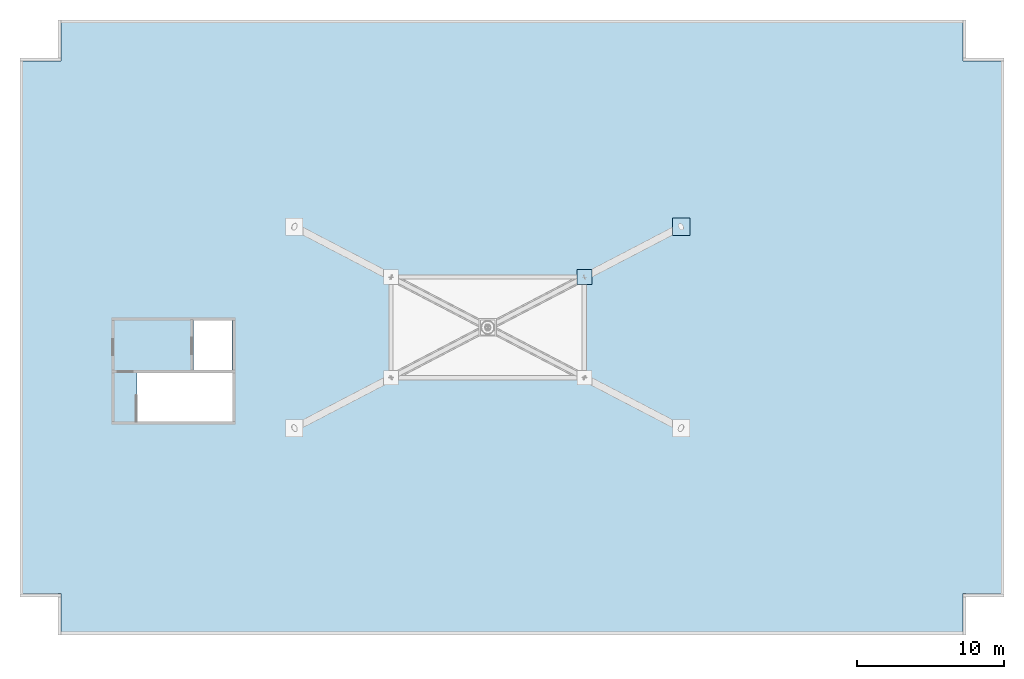
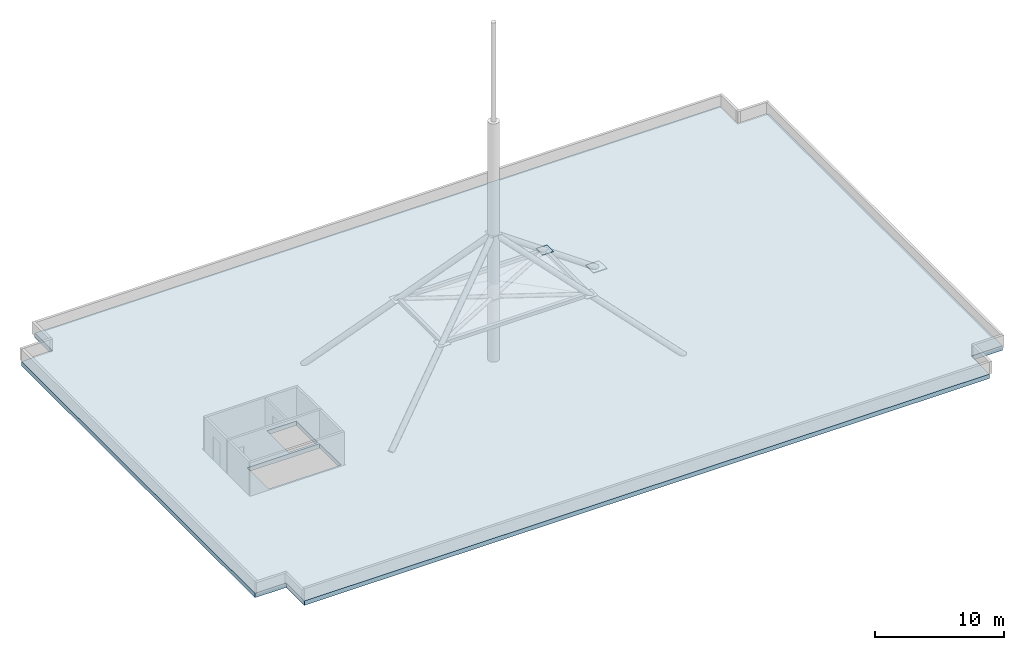
# One storey, part 2 of 8: 2 plates, 1 slab.
"""IFC4 building model written with IfcOpenShell, lengths in metres."""

from ifc_helpers import new_model, si_unit, direction, frame, origin, origin_2d, place, context, subcontext, project, spatial, polyline, rectangle, outline, extrude, material, layer, layer_set, type_object, element, save


model = new_model("IFC4")

# Units and contexts
model_context = context("Model", 3, precision=1e-05, world=origin(), true_north=direction((0.0, 1.0)))
body_context = subcontext(model_context, "Body", "Model", "MODEL_VIEW")
ifc_project = project(units=[si_unit("LENGTHUNIT", "METRE"), si_unit("AREAUNIT", "SQUARE_METRE"), si_unit("VOLUMEUNIT", "CUBIC_METRE"), si_unit("PLANEANGLEUNIT", "RADIAN"), si_unit("MASSUNIT", "GRAM", prefix="KILO")], contexts=[model_context])

# Site, building, storey
site_placement = place(None, origin())
site = spatial("IfcSite", under=ifc_project, at=site_placement, CompositionType="ELEMENT")
building_placement = place(site_placement, origin())
building = spatial("IfcBuilding", under=site, at=building_placement, Name="Putna Gate Headquarters", CompositionType="ELEMENT")
storey_placement = place(building_placement, frame((0.0, 0.0, 320.39990234375)))
storey = spatial("IfcBuildingStorey", under=building, at=storey_placement, Name="RF", CompositionType="ELEMENT", Elevation=320.39990234375)

# Plates
ifc_material_1 = material(Name="Steel S460M", Category="steel")
ifc_layer_1 = layer(ifc_material_1, 0.0400390625)
ifc_layer_set_1 = layer_set([ifc_layer_1], Name="Steel S460M")
plate_type_1 = type_object("IfcPlateType", Name="PLT-SPIRE-BASE-SN1", PredefinedType="SHEET", material=ifc_layer_set_1)
plate_1_placement = place(storey_placement, frame((52.14990234375, 32.85009765625, 0.0), z_axis=(0.0, 0.0, 1.0), x_axis=(1.0, 0.0, 0.0)))
element("IfcPlate", 1, at=plate_1_placement, inside=storey, type_object=plate_type_1, Name="Needle Spire Leg NE Base Anchorage Plate SN1", PredefinedType="SHEET", context=body_context, shape_type="SweptSolid", body=[
    extrude(rectangle(XDim=1.199951171875, YDim=1.199951171875, at=origin_2d()), origin(), (0.0, 0.0, 1.0), 0.0400390625),
])
ifc_layer_2 = layer(ifc_material_1, 0.0380859375)
ifc_layer_set_2 = layer_set([ifc_layer_2], Name="Steel S460M")
plate_type_2 = type_object("IfcPlateType", Name="PLT-SPIRE-COLLAR-SN2", PredefinedType="SHEET", material=ifc_layer_set_2)
plate_2_placement = place(storey_placement, frame((45.574951171875, 29.425048828125, 5.968505859375), z_axis=(0.0, 0.0, 1.0), x_axis=(1.0, 0.0, 0.0)))
element("IfcPlate", 2, at=plate_2_placement, inside=storey, type_object=plate_type_2, Name="Needle Spire Mid Ring Corner Node Plate SN2 3", PredefinedType="SHEET", context=body_context, shape_type="SweptSolid", body=[
    extrude(rectangle(XDim=1.0, YDim=1.0, at=origin_2d()), origin(), (0.0, 0.0, 1.0), 0.0380859375),
])

# Slab
ifc_material_2 = material(Name="Concrete C40/50", Category="concrete")
ifc_layer_3 = layer(ifc_material_2, 0.419921875)
ifc_layer_set_3 = layer_set([ifc_layer_3], Name="Concrete C40/50")
slab_type = type_object("IfcSlabType", Name="SLAB-CROWN-ROOF-420", PredefinedType="ROOF", material=ifc_layer_set_3)
slab_placement = place(storey_placement, frame((0.0, 0.0, -0.419921875)))
element("IfcSlab", 3, at=slab_placement, inside=storey, type_object=slab_type, Name="RF Crown Roof Slab", PredefinedType="ROOF", context=body_context, shape_type="SweptSolid", body=[
    extrude(outline(polyline([(10.0, 5.10009765625), (71.300048828125, 5.10009765625), (71.300048828125, 7.89990234375), (74.10009765625, 7.89990234375), (74.10009765625, 44.10009765625), (71.300048828125, 44.10009765625), (71.300048828125, 46.89990234375), (10.0, 46.89990234375), (10.0, 44.10009765625), (7.199951171875, 44.10009765625), (7.199951171875, 7.89990234375), (10.0, 7.89990234375), (10.0, 5.10009765625)]), holes=[polyline([(15.1650390625, 19.60009765625), (21.64990234375, 19.60009765625), (21.64990234375, 22.89990234375), (15.1650390625, 22.89990234375), (15.1650390625, 19.60009765625)]), polyline([(18.97998046875, 23.1201171875), (21.6201171875, 23.1201171875), (21.6201171875, 26.4599609375), (18.97998046875, 26.4599609375), (18.97998046875, 23.1201171875)])]), origin(), (0.0, 0.0, 1.0), 0.419921875),
])

save(model, "model.ifc")
